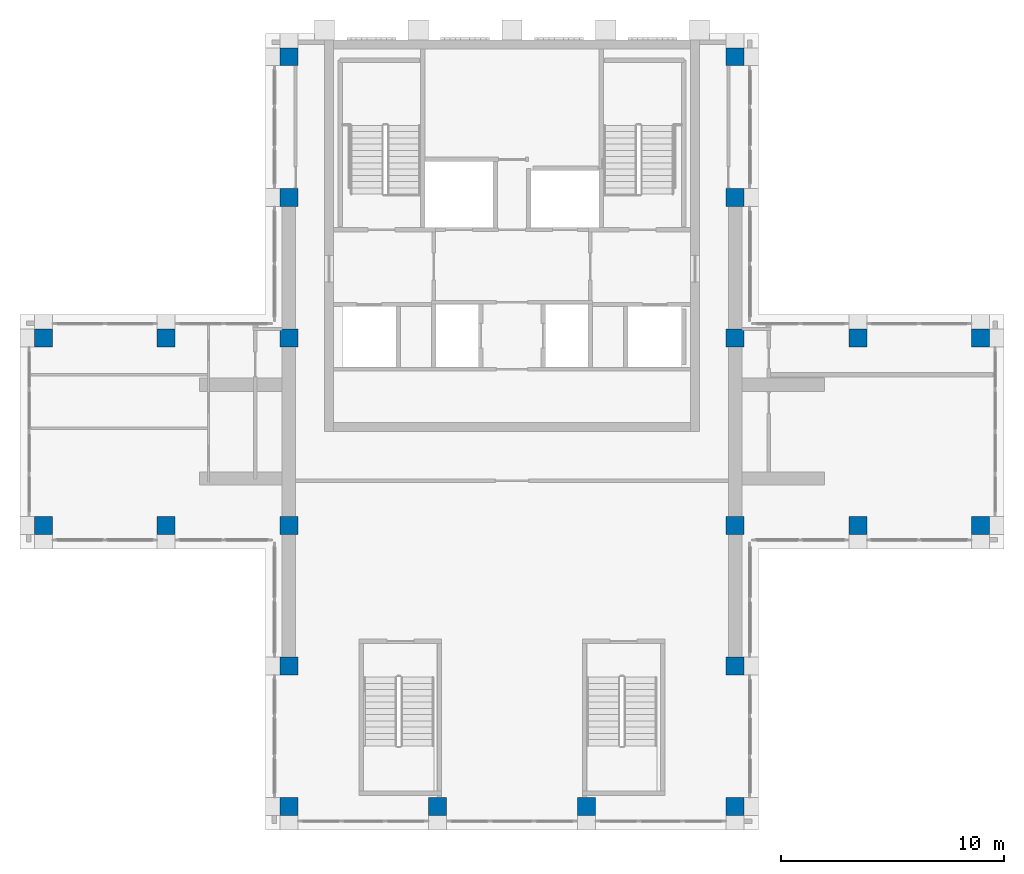
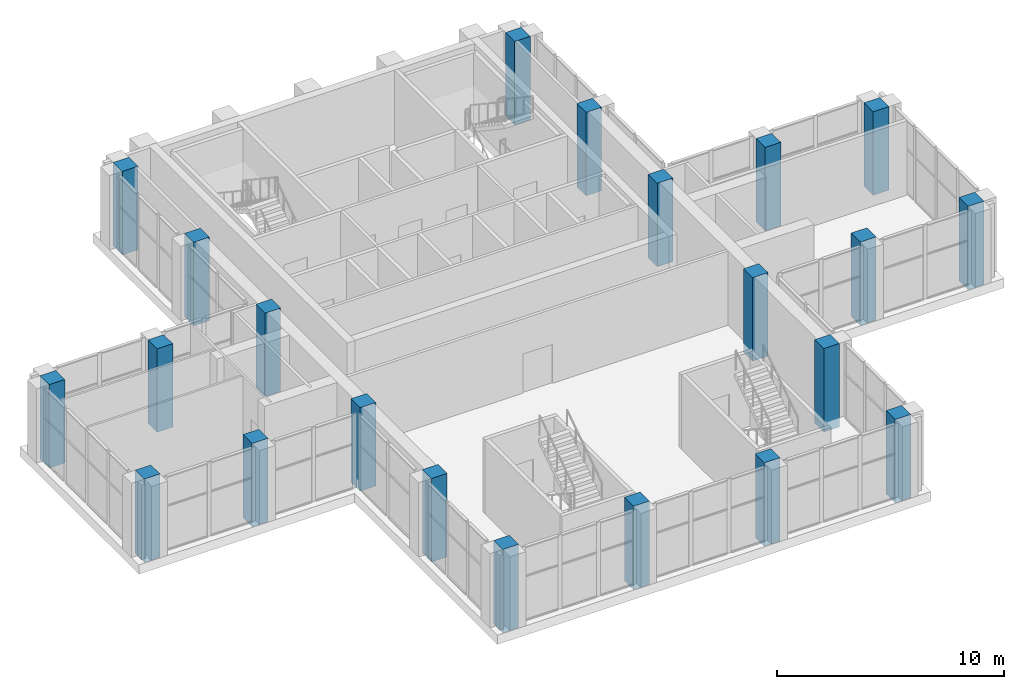
# One storey, part 1 of 15: 22 columns.
"""IFC4 building model written with IfcOpenShell, lengths in metres."""

from ifc_helpers import new_model, si_unit, direction, frame, origin, origin_2d, place, context, subcontext, project, spatial, rectangle, extrude, material, material_profile, profile_set, type_object, element, save


model = new_model("IFC4")

# Units and contexts
model_context = context("Model", 3, precision=1e-05, world=origin(), true_north=direction((0.0, 1.0)))
body_context = subcontext(model_context, "Body", "Model", "MODEL_VIEW")
ifc_project = project(units=[si_unit("LENGTHUNIT", "METRE"), si_unit("AREAUNIT", "SQUARE_METRE"), si_unit("VOLUMEUNIT", "CUBIC_METRE"), si_unit("PLANEANGLEUNIT", "RADIAN"), si_unit("MASSUNIT", "GRAM", prefix="KILO")], contexts=[model_context])

# Site, building, storey
site_placement = place(None, origin())
site = spatial("IfcSite", under=ifc_project, at=site_placement, CompositionType="ELEMENT")
building_placement = place(site_placement, origin())
building = spatial("IfcBuilding", under=site, at=building_placement, Name="Vermilion Ogive Tower", CompositionType="ELEMENT")
storey_placement = place(building_placement, frame((0.0, 0.0, 293.85009765625)))
storey = spatial("IfcBuildingStorey", under=building, at=storey_placement, Name="L76", CompositionType="ELEMENT", Elevation=293.85009765625)

# Columns
ifc_material = material(Name="Concrete B45", Category="concrete")
ifc_material_profile = material_profile(ifc_material, rectangle(XDim=0.800048828125, YDim=0.800048828125, at=origin_2d()), Name="800 x 800")
ifc_profile_set = profile_set([ifc_material_profile], Name="Concrete B45")
column_type = type_object("IfcColumnType", Name="Perimeter column 800 x 800 B45", PredefinedType="COLUMN", material=ifc_profile_set)
for number, where, z_axis, x_axis, name in (
    (1, (-10.0, -12.60009765625, -0.5), (0.0, 0.0, 1.0), (1.0, 0.0, 0.0), "COL-L76-P-0100-126"),
    (2, (-3.333251953125, -12.60009765625, -0.5), (0.0, 0.0, 1.0), (1.0, 0.0, 0.0), "COL-L76-P-0033-126"),
    (3, (3.333251953125, -12.60009765625, -0.5), (0.0, 0.0, 1.0), (1.0, 0.0, 0.0), "COL-L76-P+0033-126"),
    (4, (10.0, -12.60009765625, -0.5), (0.0, 0.0, 1.0), (1.0, 0.0, 0.0), "COL-L76-P+0100-126"),
    (5, (-10.0, -6.300048828125, -0.5), (0.0, 0.0, 1.0), (1.0, 0.0, 0.0), "COL-L76-P-0100-063"),
    (6, (10.0, -6.300048828125, -0.5), (0.0, 0.0, 1.0), (1.0, 0.0, 0.0), "COL-L76-P+0100-063"),
    (7, (-21.0, 0.0, -0.5), (0.0, 0.0, 1.0), (1.0, 0.0, 0.0), "COL-L76-P-0210+000"),
    (8, (-15.5, 0.0, -0.5), (0.0, 0.0, 1.0), (1.0, 0.0, 0.0), "COL-L76-P-0155+000"),
    (9, (-10.0, 0.0, -0.5), (0.0, 0.0, 1.0), (1.0, 0.0, 0.0), "COL-L76-P-0100+000"),
    (10, (10.0, 0.0, -0.5), (0.0, 0.0, 1.0), (1.0, 0.0, 0.0), "COL-L76-P+0100+000"),
    (11, (15.5, 0.0, -0.5), (0.0, 0.0, 1.0), (1.0, 0.0, 0.0), "COL-L76-P+0155+000"),
    (12, (21.0, 0.0, -0.5), (0.0, 0.0, 1.0), (1.0, 0.0, 0.0), "COL-L76-P+0210+000"),
    (13, (-21.0, 8.39990234375, -0.5), (0.0, 0.0, 1.0), (1.0, 0.0, 0.0), "COL-L76-P-0210+084"),
    (14, (-15.5, 8.39990234375, -0.5), (0.0, 0.0, 1.0), (1.0, 0.0, 0.0), "COL-L76-P-0155+084"),
    (15, (-10.0, 8.39990234375, -0.5), (0.0, 0.0, 1.0), (1.0, 0.0, 0.0), "COL-L76-P-0100+084"),
    (16, (10.0, 8.39990234375, -0.5), (0.0, 0.0, 1.0), (1.0, 0.0, 0.0), "COL-L76-P+0100+084"),
    (17, (15.5, 8.39990234375, -0.5), (0.0, 0.0, 1.0), (1.0, 0.0, 0.0), "COL-L76-P+0155+084"),
    (18, (21.0, 8.39990234375, -0.5), (0.0, 0.0, 1.0), (1.0, 0.0, 0.0), "COL-L76-P+0210+084"),
    (19, (-10.0, 14.699951171875, -0.5), (0.0, 0.0, 1.0), (1.0, 0.0, 0.0), "COL-L76-P-0100+147"),
    (20, (10.0, 14.699951171875, -0.5), (0.0, 0.0, 1.0), (1.0, 0.0, 0.0), "COL-L76-P+0100+147"),
    (21, (-10.0, 21.0, -0.5), (0.0, 0.0, 1.0), (1.0, 0.0, 0.0), "COL-L76-P-0100+210"),
    (22, (10.0, 21.0, -0.5), (0.0, 0.0, 1.0), (1.0, 0.0, 0.0), "COL-L76-P+0100+210"),
):
    element("IfcColumn", number, at=place(storey_placement, frame(where, z_axis=z_axis, x_axis=x_axis)), inside=storey, type_object=column_type, Name=name, PredefinedType="COLUMN", context=body_context, shape_type="SweptSolid", body=[
        extrude(rectangle(XDim=0.800048828125, YDim=0.800048828125, at=origin_2d()), origin(), (0.0, 0.0, 1.0), 4.5),
    ])

save(model, "model.ifc")
